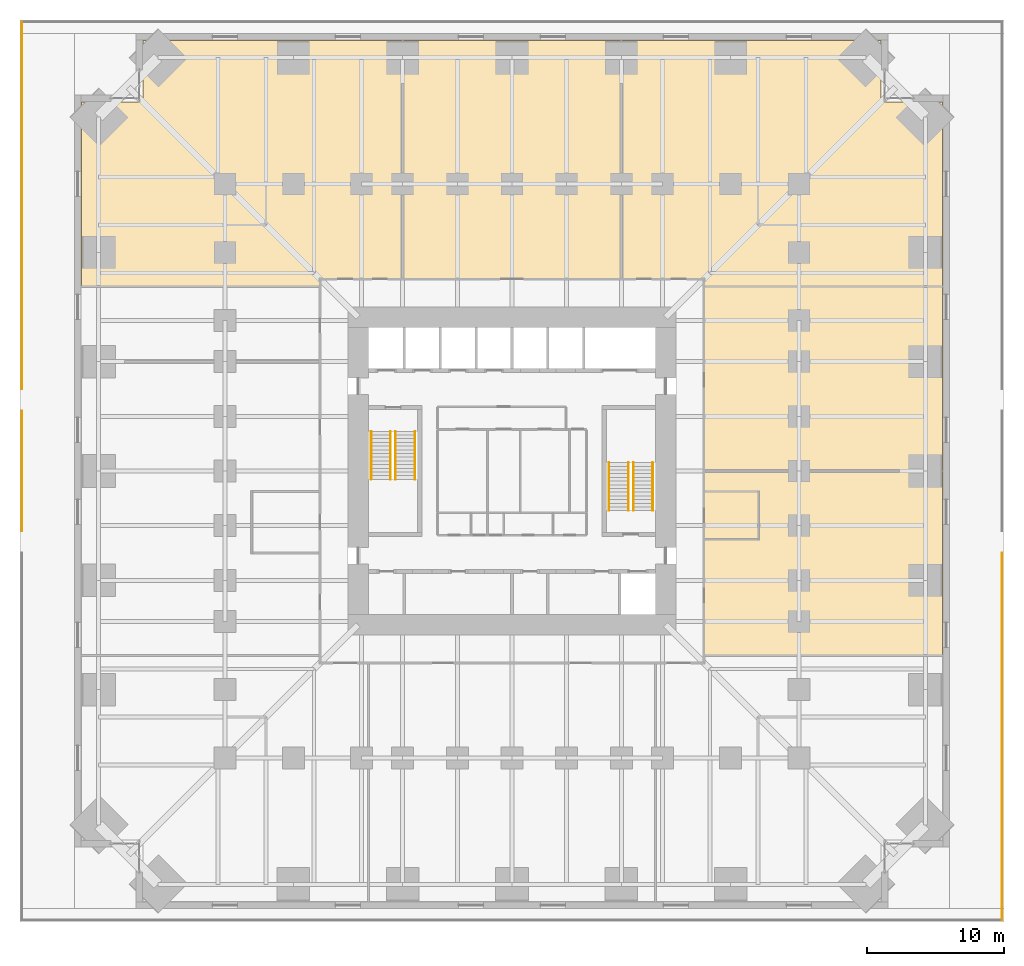
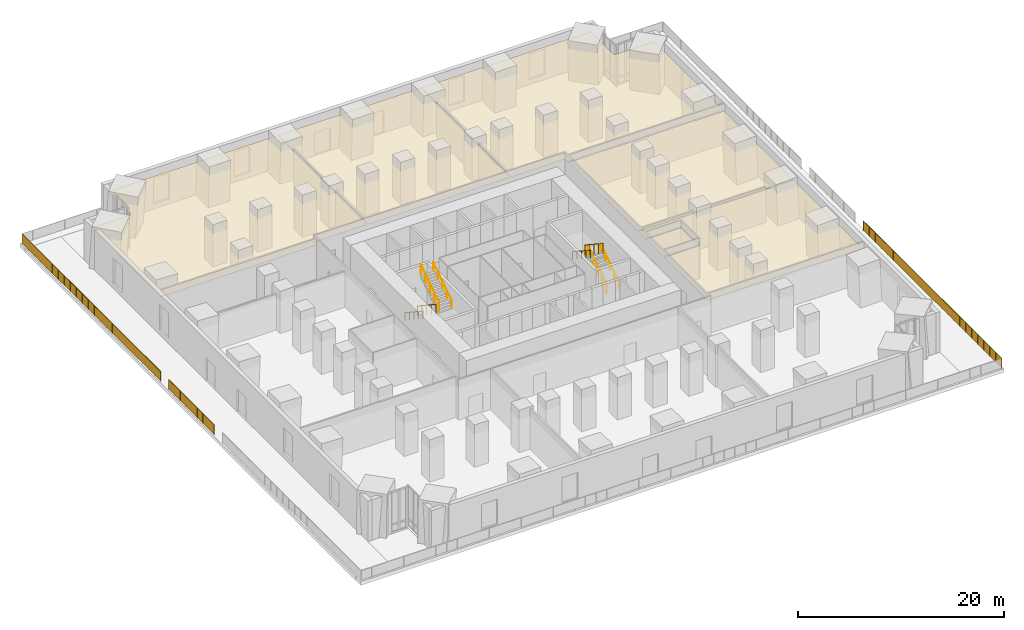
# One storey, part 25 of 26: 11 railings, 6 coverings.
"""IFC4 building model written with IfcOpenShell, lengths in metres."""

from ifc_helpers import new_model, si_unit, direction, frame, origin, origin_2d, place, context, subcontext, project, spatial, polyline, rectangle, circle, outline, extrude, material, layer, layer_set, type_object, element, save


model = new_model("IFC4")

# Units and contexts
model_context = context("Model", 3, precision=1e-05, world=origin(), true_north=direction((0.0, 1.0)))
body_context = subcontext(model_context, "Body", "Model", "MODEL_VIEW")
ifc_project = project(units=[si_unit("LENGTHUNIT", "METRE"), si_unit("AREAUNIT", "SQUARE_METRE"), si_unit("VOLUMEUNIT", "CUBIC_METRE"), si_unit("PLANEANGLEUNIT", "RADIAN"), si_unit("MASSUNIT", "GRAM", prefix="KILO")], contexts=[model_context])

# Site, building, storey
site_placement = place(None, origin())
site = spatial("IfcSite", under=ifc_project, at=site_placement, CompositionType="ELEMENT")
building_placement = place(site_placement, origin())
building = spatial("IfcBuilding", under=site, at=building_placement, Name="Peilmerk Tower", CompositionType="ELEMENT")
storey_placement = place(building_placement, frame((0.0, 0.0, 16.0)))
storey = spatial("IfcBuildingStorey", under=building, at=storey_placement, Name="L03", CompositionType="ELEMENT", Elevation=16.0)

# Coverings
ifc_material_1 = material(Name="Mineral fibre ceiling tiles", Category="mineral")
ifc_layer = layer(ifc_material_1, 0.02490234375)
ifc_layer_set = layer_set([ifc_layer], Name="Mineral fibre ceiling tiles")
covering_type = type_object("IfcCoveringType", Name="CL1 25 suspended ceiling", PredefinedType="CEILING", material=ifc_layer_set)
covering_1_placement = place(storey_placement, frame((0.0, 0.0, 3.875)))
element("IfcCovering", 1, at=covering_1_placement, inside=storey, type_object=covering_type, Name="Suspended ceiling Office", PredefinedType="CEILING", context=body_context, shape_type="SweptSolid", body=[
    extrude(outline(polyline([(-31.5, 27.0), (-31.5, 13.550048828125), (-14.10009765625, 13.550048828125), (-14.10009765625, 14.10009765625), (-8.050048828125, 14.10009765625), (-8.050048828125, 31.5), (-27.0, 31.5), (-27.0, 27.0), (-31.5, 27.0)])), origin(), (0.0, 0.0, 1.0), 0.02490234375),
])
covering_2_placement = place(storey_placement, frame((0.0, 0.0, 3.875)))
element("IfcCovering", 2, at=covering_2_placement, inside=storey, type_object=covering_type, Name="Suspended ceiling Open workspace", PredefinedType="CEILING", context=body_context, shape_type="SweptSolid", body=[
    extrude(outline(polyline([(7.949951171875, 31.5), (-7.949951171875, 31.5), (-7.949951171875, 14.10009765625), (7.949951171875, 14.10009765625), (7.949951171875, 31.5)])), origin(), (0.0, 0.0, 1.0), 0.02490234375),
])
covering_3_placement = place(storey_placement, frame((0.0, 0.0, 3.875)))
element("IfcCovering", 3, at=covering_3_placement, inside=storey, type_object=covering_type, Name="Suspended ceiling Office", PredefinedType="CEILING", context=body_context, shape_type="SweptSolid", body=[
    extrude(outline(polyline([(27.0, 31.5), (8.050048828125, 31.5), (8.050048828125, 14.10009765625), (14.10009765625, 14.10009765625), (14.10009765625, 13.550048828125), (31.5, 13.550048828125), (31.5, 27.0), (27.0, 27.0), (27.0, 31.5)])), origin(), (0.0, 0.0, 1.0), 0.02490234375),
])
covering_4_placement = place(storey_placement, frame((0.0, 0.0, 3.875)))
element("IfcCovering", 4, at=covering_4_placement, inside=storey, type_object=covering_type, Name="Suspended ceiling Office", PredefinedType="CEILING", context=body_context, shape_type="SweptSolid", body=[
    extrude(outline(polyline([(14.10009765625, -13.449951171875), (31.5, -13.449951171875), (31.5, -0.050048828125), (14.10009765625, -0.050048828125), (14.10009765625, -1.449951171875), (18.10009765625, -1.449951171875), (18.10009765625, -5.050048828125), (14.10009765625, -5.050048828125), (14.10009765625, -13.449951171875)])), origin(), (0.0, 0.0, 1.0), 0.02490234375),
])
covering_5_placement = place(storey_placement, frame((0.0, 0.0, 3.875)))
element("IfcCovering", 5, at=covering_5_placement, inside=storey, type_object=covering_type, Name="Suspended ceiling Office", PredefinedType="CEILING", context=body_context, shape_type="SweptSolid", body=[
    extrude(outline(polyline([(31.5, 0.050048828125), (31.5, 13.449951171875), (14.10009765625, 13.449951171875), (14.10009765625, 0.050048828125), (31.5, 0.050048828125)])), origin(), (0.0, 0.0, 1.0), 0.02490234375),
])
covering_6_placement = place(storey_placement, frame((0.0, 0.0, 3.875)))
element("IfcCovering", 6, at=covering_6_placement, inside=storey, type_object=covering_type, Name="Suspended ceiling Pantry", PredefinedType="CEILING", context=body_context, shape_type="SweptSolid", body=[
    extrude(outline(polyline([(18.0, -4.949951171875), (18.0, -1.550048828125), (14.10009765625, -1.550048828125), (14.10009765625, -4.949951171875), (18.0, -4.949951171875)])), origin(), (0.0, 0.0, 1.0), 0.02490234375),
])

# Railings
ifc_material_2 = material(Name="Steel flat bar balustrade", Category="steel")
railing_type_1 = type_object("IfcRailingType", Name="GR1 1200 stair guard", PredefinedType="GUARDRAIL", material=ifc_material_2)
railing_1_placement = place(storey_placement, frame((-8.8798828125, 2.89990234375, 0.178466796875)))
element("IfcRailing", 7, at=railing_1_placement, inside=storey, type_object=railing_type_1, Name="Guard stair 1 L03", PredefinedType="GUARDRAIL", context=body_context, shape_type="SweptSolid", body=[
    extrude(circle(Radius=0.02392578125, at=origin_2d()), frame((0.0, 0.0, 1.17578125), z_axis=(0.0, -0.834070780157, 0.551657442339), x_axis=(1.0, 0.0, 0.0)), (0.0, 0.0, 1.0), 4.208251953125),
    extrude(circle(Radius=0.02099609375, at=origin_2d()), origin(), (0.0, 0.0, 1.0), 1.15185546875),
    extrude(circle(Radius=0.02099609375, at=origin_2d()), frame((0.0, -0.87744140625, 0.580322265625)), (0.0, 0.0, 1.0), 1.15185546875),
    extrude(circle(Radius=0.02099609375, at=origin_2d()), frame((0.0, -1.7548828125, 1.16064453125)), (0.0, 0.0, 1.0), 1.15185546875),
    extrude(circle(Radius=0.02099609375, at=origin_2d()), frame((0.0, -2.632568359375, 1.7412109375)), (0.0, 0.0, 1.0), 1.15185546875),
    extrude(circle(Radius=0.02099609375, at=origin_2d()), frame((0.0, -3.510009765625, 2.321533203125)), (0.0, 0.0, 1.0), 1.15185546875),
])
for number, where, name in (
    (8, (-8.52001953125, -0.610107421875, 2.678466796875), "Guard stair 1 L03"),
    (9, (8.8798828125, -2.89990234375, 0.178466796875), "Guard stair 2 L03"),
):
    element("IfcRailing", number, at=place(storey_placement, frame(where)), inside=storey, type_object=railing_type_1, Name=name, PredefinedType="GUARDRAIL", context=body_context, shape_type="SweptSolid", body=[
        extrude(circle(Radius=0.02392578125, at=origin_2d()), frame((0.0, 0.0, 1.17578125), z_axis=(0.0, 0.834070780157, 0.551657442339), x_axis=(-1.0, 0.0, 0.0)), (0.0, 0.0, 1.0), 4.208251953125),
        extrude(circle(Radius=0.02099609375, at=origin_2d()), origin(), (0.0, 0.0, 1.0), 1.15185546875),
        extrude(circle(Radius=0.02099609375, at=origin_2d()), frame((0.0, 0.87744140625, 0.580322265625)), (0.0, 0.0, 1.0), 1.15185546875),
        extrude(circle(Radius=0.02099609375, at=origin_2d()), frame((0.0, 1.7548828125, 1.16064453125)), (0.0, 0.0, 1.0), 1.15185546875),
        extrude(circle(Radius=0.02099609375, at=origin_2d()), frame((0.0, 2.632568359375, 1.7412109375)), (0.0, 0.0, 1.0), 1.15185546875),
        extrude(circle(Radius=0.02099609375, at=origin_2d()), frame((0.0, 3.510009765625, 2.321533203125)), (0.0, 0.0, 1.0), 1.15185546875),
    ])
railing_2_placement = place(storey_placement, frame((8.52001953125, 0.610107421875, 2.678466796875)))
element("IfcRailing", 10, at=railing_2_placement, inside=storey, type_object=railing_type_1, Name="Guard stair 2 L03", PredefinedType="GUARDRAIL", context=body_context, shape_type="SweptSolid", body=[
    extrude(circle(Radius=0.02392578125, at=origin_2d()), frame((0.0, 0.0, 1.17578125), z_axis=(0.0, -0.834070780157, 0.551657442339), x_axis=(1.0, 0.0, 0.0)), (0.0, 0.0, 1.0), 4.208251953125),
    extrude(circle(Radius=0.02099609375, at=origin_2d()), origin(), (0.0, 0.0, 1.0), 1.15185546875),
    extrude(circle(Radius=0.02099609375, at=origin_2d()), frame((0.0, -0.87744140625, 0.580322265625)), (0.0, 0.0, 1.0), 1.15185546875),
    extrude(circle(Radius=0.02099609375, at=origin_2d()), frame((0.0, -1.7548828125, 1.16064453125)), (0.0, 0.0, 1.0), 1.15185546875),
    extrude(circle(Radius=0.02099609375, at=origin_2d()), frame((0.0, -2.632568359375, 1.7412109375)), (0.0, 0.0, 1.0), 1.15185546875),
    extrude(circle(Radius=0.02099609375, at=origin_2d()), frame((0.0, -3.510009765625, 2.321533203125)), (0.0, 0.0, 1.0), 1.15185546875),
])
ifc_material_3 = material(Name="Galvanised steel posts and top rail, laminated glass infill 16", Category="steel")
railing_type_2 = type_object("IfcRailingType", Name="GR2 1200 terrace balustrade", PredefinedType="BALUSTRADE", material=ifc_material_3)
railing_3_placement = place(storey_placement, frame((35.85009765625, -32.85009765625, 0.0)))
element("IfcRailing", 11, at=railing_3_placement, inside=storey, type_object=railing_type_2, Name="Terrace balustrade L03", PredefinedType="BALUSTRADE", context=body_context, shape_type="SweptSolid", body=[
    extrude(circle(Radius=0.02392578125, at=origin_2d()), frame((0.0, 0.0, 1.17578125), z_axis=(0.0, 1.0, 0.0), x_axis=(-1.0, 0.0, 0.0)), (0.0, 0.0, 1.0), 26.85009765625),
    extrude(circle(Radius=0.02099609375, at=origin_2d()), origin(), (0.0, 0.0, 1.0), 1.15185546875),
    extrude(circle(Radius=0.02099609375, at=origin_2d()), frame((0.0, 1.16748046875, 0.0)), (0.0, 0.0, 1.0), 1.15185546875),
    extrude(circle(Radius=0.02099609375, at=origin_2d()), frame((0.0, 2.334716796875, 0.0)), (0.0, 0.0, 1.0), 1.15185546875),
    extrude(circle(Radius=0.02099609375, at=origin_2d()), frame((0.0, 3.502197265625, 0.0)), (0.0, 0.0, 1.0), 1.15185546875),
    extrude(circle(Radius=0.02099609375, at=origin_2d()), frame((0.0, 4.669677734375, 0.0)), (0.0, 0.0, 1.0), 1.15185546875),
    extrude(circle(Radius=0.02099609375, at=origin_2d()), frame((0.0, 5.8369140625, 0.0)), (0.0, 0.0, 1.0), 1.15185546875),
    extrude(circle(Radius=0.02099609375, at=origin_2d()), frame((0.0, 7.00439453125, 0.0)), (0.0, 0.0, 1.0), 1.15185546875),
    extrude(circle(Radius=0.02099609375, at=origin_2d()), frame((0.0, 8.171875, 0.0)), (0.0, 0.0, 1.0), 1.15185546875),
    extrude(circle(Radius=0.02099609375, at=origin_2d()), frame((0.0, 9.339111328125, 0.0)), (0.0, 0.0, 1.0), 1.15185546875),
    extrude(circle(Radius=0.02099609375, at=origin_2d()), frame((0.0, 10.506591796875, 0.0)), (0.0, 0.0, 1.0), 1.15185546875),
    extrude(circle(Radius=0.02099609375, at=origin_2d()), frame((0.0, 11.674072265625, 0.0)), (0.0, 0.0, 1.0), 1.15185546875),
    extrude(circle(Radius=0.02099609375, at=origin_2d()), frame((0.0, 12.84130859375, 0.0)), (0.0, 0.0, 1.0), 1.15185546875),
    extrude(circle(Radius=0.02099609375, at=origin_2d()), frame((0.0, 14.0087890625, 0.0)), (0.0, 0.0, 1.0), 1.15185546875),
    extrude(circle(Radius=0.02099609375, at=origin_2d()), frame((0.0, 15.176025390625, 0.0)), (0.0, 0.0, 1.0), 1.15185546875),
    extrude(circle(Radius=0.02099609375, at=origin_2d()), frame((0.0, 16.343505859375, 0.0)), (0.0, 0.0, 1.0), 1.15185546875),
    extrude(circle(Radius=0.02099609375, at=origin_2d()), frame((0.0, 17.510986328125, 0.0)), (0.0, 0.0, 1.0), 1.15185546875),
    extrude(circle(Radius=0.02099609375, at=origin_2d()), frame((0.0, 18.67822265625, 0.0)), (0.0, 0.0, 1.0), 1.15185546875),
    extrude(circle(Radius=0.02099609375, at=origin_2d()), frame((0.0, 19.845703125, 0.0)), (0.0, 0.0, 1.0), 1.15185546875),
    extrude(circle(Radius=0.02099609375, at=origin_2d()), frame((0.0, 21.01318359375, 0.0)), (0.0, 0.0, 1.0), 1.15185546875),
    extrude(circle(Radius=0.02099609375, at=origin_2d()), frame((0.0, 22.180419921875, 0.0)), (0.0, 0.0, 1.0), 1.15185546875),
    extrude(circle(Radius=0.02099609375, at=origin_2d()), frame((0.0, 23.347900390625, 0.0)), (0.0, 0.0, 1.0), 1.15185546875),
    extrude(circle(Radius=0.02099609375, at=origin_2d()), frame((0.0, 24.515380859375, 0.0)), (0.0, 0.0, 1.0), 1.15185546875),
    extrude(circle(Radius=0.02099609375, at=origin_2d()), frame((0.0, 25.6826171875, 0.0)), (0.0, 0.0, 1.0), 1.15185546875),
    extrude(circle(Radius=0.02099609375, at=origin_2d()), frame((0.0, 26.85009765625, 0.0)), (0.0, 0.0, 1.0), 1.15185546875),
    extrude(rectangle(XDim=1.12548828125, YDim=0.01611328125, at=origin_2d()), frame((0.0, 0.583740234375, 0.050048828125), z_axis=(0.0, 0.0, 1.0), x_axis=(0.0, 1.0, 0.0)), (0.0, 0.0, 1.0), 1.101806640625),
    extrude(rectangle(XDim=1.12548828125, YDim=0.01611328125, at=origin_2d()), frame((0.0, 1.7509765625, 0.050048828125), z_axis=(0.0, 0.0, 1.0), x_axis=(0.0, 1.0, 0.0)), (0.0, 0.0, 1.0), 1.101806640625),
    extrude(rectangle(XDim=1.12548828125, YDim=0.01611328125, at=origin_2d()), frame((0.0, 2.91845703125, 0.050048828125), z_axis=(0.0, 0.0, 1.0), x_axis=(0.0, 1.0, 0.0)), (0.0, 0.0, 1.0), 1.101806640625),
    extrude(rectangle(XDim=1.12548828125, YDim=0.01611328125, at=origin_2d()), frame((0.0, 4.0859375, 0.050048828125), z_axis=(0.0, 0.0, 1.0), x_axis=(0.0, 1.0, 0.0)), (0.0, 0.0, 1.0), 1.101806640625),
    extrude(rectangle(XDim=1.12548828125, YDim=0.01611328125, at=origin_2d()), frame((0.0, 5.253173828125, 0.050048828125), z_axis=(0.0, 0.0, 1.0), x_axis=(0.0, 1.0, 0.0)), (0.0, 0.0, 1.0), 1.101806640625),
    extrude(rectangle(XDim=1.12548828125, YDim=0.01611328125, at=origin_2d()), frame((0.0, 6.420654296875, 0.050048828125), z_axis=(0.0, 0.0, 1.0), x_axis=(0.0, 1.0, 0.0)), (0.0, 0.0, 1.0), 1.101806640625),
    extrude(rectangle(XDim=1.12548828125, YDim=0.01611328125, at=origin_2d()), frame((0.0, 7.588134765625, 0.050048828125), z_axis=(0.0, 0.0, 1.0), x_axis=(0.0, 1.0, 0.0)), (0.0, 0.0, 1.0), 1.101806640625),
    extrude(rectangle(XDim=1.12548828125, YDim=0.01611328125, at=origin_2d()), frame((0.0, 8.75537109375, 0.050048828125), z_axis=(0.0, 0.0, 1.0), x_axis=(0.0, 1.0, 0.0)), (0.0, 0.0, 1.0), 1.101806640625),
    extrude(rectangle(XDim=1.12548828125, YDim=0.01611328125, at=origin_2d()), frame((0.0, 9.9228515625, 0.050048828125), z_axis=(0.0, 0.0, 1.0), x_axis=(0.0, 1.0, 0.0)), (0.0, 0.0, 1.0), 1.101806640625),
    extrude(rectangle(XDim=1.12548828125, YDim=0.01611328125, at=origin_2d()), frame((0.0, 11.09033203125, 0.050048828125), z_axis=(0.0, 0.0, 1.0), x_axis=(0.0, 1.0, 0.0)), (0.0, 0.0, 1.0), 1.101806640625),
    extrude(rectangle(XDim=1.12548828125, YDim=0.01611328125, at=origin_2d()), frame((0.0, 12.257568359375, 0.050048828125), z_axis=(0.0, 0.0, 1.0), x_axis=(0.0, 1.0, 0.0)), (0.0, 0.0, 1.0), 1.101806640625),
    extrude(rectangle(XDim=1.12548828125, YDim=0.01611328125, at=origin_2d()), frame((0.0, 13.425048828125, 0.050048828125), z_axis=(0.0, 0.0, 1.0), x_axis=(0.0, 1.0, 0.0)), (0.0, 0.0, 1.0), 1.101806640625),
    extrude(rectangle(XDim=1.12548828125, YDim=0.01611328125, at=origin_2d()), frame((0.0, 14.592529296875, 0.050048828125), z_axis=(0.0, 0.0, 1.0), x_axis=(0.0, 1.0, 0.0)), (0.0, 0.0, 1.0), 1.101806640625),
    extrude(rectangle(XDim=1.12548828125, YDim=0.01611328125, at=origin_2d()), frame((0.0, 15.759765625, 0.050048828125), z_axis=(0.0, 0.0, 1.0), x_axis=(0.0, 1.0, 0.0)), (0.0, 0.0, 1.0), 1.101806640625),
    extrude(rectangle(XDim=1.12548828125, YDim=0.01611328125, at=origin_2d()), frame((0.0, 16.92724609375, 0.050048828125), z_axis=(0.0, 0.0, 1.0), x_axis=(0.0, 1.0, 0.0)), (0.0, 0.0, 1.0), 1.101806640625),
    extrude(rectangle(XDim=1.12548828125, YDim=0.01611328125, at=origin_2d()), frame((0.0, 18.0947265625, 0.050048828125), z_axis=(0.0, 0.0, 1.0), x_axis=(0.0, 1.0, 0.0)), (0.0, 0.0, 1.0), 1.101806640625),
    extrude(rectangle(XDim=1.12548828125, YDim=0.01611328125, at=origin_2d()), frame((0.0, 19.261962890625, 0.050048828125), z_axis=(0.0, 0.0, 1.0), x_axis=(0.0, 1.0, 0.0)), (0.0, 0.0, 1.0), 1.101806640625),
    extrude(rectangle(XDim=1.12548828125, YDim=0.01611328125, at=origin_2d()), frame((0.0, 20.429443359375, 0.050048828125), z_axis=(0.0, 0.0, 1.0), x_axis=(0.0, 1.0, 0.0)), (0.0, 0.0, 1.0), 1.101806640625),
    extrude(rectangle(XDim=1.12548828125, YDim=0.01611328125, at=origin_2d()), frame((0.0, 21.596923828125, 0.050048828125), z_axis=(0.0, 0.0, 1.0), x_axis=(0.0, 1.0, 0.0)), (0.0, 0.0, 1.0), 1.101806640625),
    extrude(rectangle(XDim=1.12548828125, YDim=0.01611328125, at=origin_2d()), frame((0.0, 22.76416015625, 0.050048828125), z_axis=(0.0, 0.0, 1.0), x_axis=(0.0, 1.0, 0.0)), (0.0, 0.0, 1.0), 1.101806640625),
    extrude(rectangle(XDim=1.12548828125, YDim=0.01611328125, at=origin_2d()), frame((0.0, 23.931640625, 0.050048828125), z_axis=(0.0, 0.0, 1.0), x_axis=(0.0, 1.0, 0.0)), (0.0, 0.0, 1.0), 1.101806640625),
    extrude(rectangle(XDim=1.12548828125, YDim=0.01611328125, at=origin_2d()), frame((0.0, 25.09912109375, 0.050048828125), z_axis=(0.0, 0.0, 1.0), x_axis=(0.0, 1.0, 0.0)), (0.0, 0.0, 1.0), 1.101806640625),
    extrude(rectangle(XDim=1.12548828125, YDim=0.01611328125, at=origin_2d()), frame((0.0, 26.266357421875, 0.050048828125), z_axis=(0.0, 0.0, 1.0), x_axis=(0.0, 1.0, 0.0)), (0.0, 0.0, 1.0), 1.101806640625),
])
railing_4_placement = place(storey_placement, frame((-35.85009765625, -4.39990234375, 0.0)))
element("IfcRailing", 12, at=railing_4_placement, inside=storey, type_object=railing_type_2, Name="Terrace balustrade L03", PredefinedType="BALUSTRADE", context=body_context, shape_type="SweptSolid", body=[
    extrude(circle(Radius=0.02392578125, at=origin_2d()), frame((0.0, 0.0, 1.17578125), z_axis=(0.0, 1.0, 0.0), x_axis=(-1.0, 0.0, 0.0)), (0.0, 0.0, 1.0), 8.7998046875),
    extrude(circle(Radius=0.02099609375, at=origin_2d()), origin(), (0.0, 0.0, 1.0), 1.15185546875),
    extrude(circle(Radius=0.02099609375, at=origin_2d()), frame((0.0, 1.10009765625, 0.0)), (0.0, 0.0, 1.0), 1.15185546875),
    extrude(circle(Radius=0.02099609375, at=origin_2d()), frame((0.0, 2.199951171875, 0.0)), (0.0, 0.0, 1.0), 1.15185546875),
    extrude(circle(Radius=0.02099609375, at=origin_2d()), frame((0.0, 3.2998046875, 0.0)), (0.0, 0.0, 1.0), 1.15185546875),
    extrude(circle(Radius=0.02099609375, at=origin_2d()), frame((0.0, 4.39990234375, 0.0)), (0.0, 0.0, 1.0), 1.15185546875),
    extrude(circle(Radius=0.02099609375, at=origin_2d()), frame((0.0, 5.5, 0.0)), (0.0, 0.0, 1.0), 1.15185546875),
    extrude(circle(Radius=0.02099609375, at=origin_2d()), frame((0.0, 6.599853515625, 0.0)), (0.0, 0.0, 1.0), 1.15185546875),
    extrude(circle(Radius=0.02099609375, at=origin_2d()), frame((0.0, 7.69970703125, 0.0)), (0.0, 0.0, 1.0), 1.15185546875),
    extrude(circle(Radius=0.02099609375, at=origin_2d()), frame((0.0, 8.7998046875, 0.0)), (0.0, 0.0, 1.0), 1.15185546875),
    extrude(rectangle(XDim=1.05810546875, YDim=0.01611328125, at=origin_2d()), frame((0.0, 0.550048828125, 0.050048828125), z_axis=(0.0, 0.0, 1.0), x_axis=(0.0, 1.0, 0.0)), (0.0, 0.0, 1.0), 1.101806640625),
    extrude(rectangle(XDim=1.05810546875, YDim=0.01611328125, at=origin_2d()), frame((0.0, 1.64990234375, 0.050048828125), z_axis=(0.0, 0.0, 1.0), x_axis=(0.0, 1.0, 0.0)), (0.0, 0.0, 1.0), 1.101806640625),
    extrude(rectangle(XDim=1.05810546875, YDim=0.01611328125, at=origin_2d()), frame((0.0, 2.75, 0.050048828125), z_axis=(0.0, 0.0, 1.0), x_axis=(0.0, 1.0, 0.0)), (0.0, 0.0, 1.0), 1.101806640625),
    extrude(rectangle(XDim=1.05810546875, YDim=0.01611328125, at=origin_2d()), frame((0.0, 3.849853515625, 0.050048828125), z_axis=(0.0, 0.0, 1.0), x_axis=(0.0, 1.0, 0.0)), (0.0, 0.0, 1.0), 1.101806640625),
    extrude(rectangle(XDim=1.05810546875, YDim=0.01611328125, at=origin_2d()), frame((0.0, 4.949951171875, 0.050048828125), z_axis=(0.0, 0.0, 1.0), x_axis=(0.0, 1.0, 0.0)), (0.0, 0.0, 1.0), 1.101806640625),
    extrude(rectangle(XDim=1.05810546875, YDim=0.01611328125, at=origin_2d()), frame((0.0, 6.0498046875, 0.050048828125), z_axis=(0.0, 0.0, 1.0), x_axis=(0.0, 1.0, 0.0)), (0.0, 0.0, 1.0), 1.101806640625),
    extrude(rectangle(XDim=1.05810546875, YDim=0.01611328125, at=origin_2d()), frame((0.0, 7.14990234375, 0.050048828125), z_axis=(0.0, 0.0, 1.0), x_axis=(0.0, 1.0, 0.0)), (0.0, 0.0, 1.0), 1.101806640625),
    extrude(rectangle(XDim=1.05810546875, YDim=0.01611328125, at=origin_2d()), frame((0.0, 8.249755859375, 0.050048828125), z_axis=(0.0, 0.0, 1.0), x_axis=(0.0, 1.0, 0.0)), (0.0, 0.0, 1.0), 1.101806640625),
])
railing_5_placement = place(storey_placement, frame((-35.85009765625, 6.0, 0.0)))
element("IfcRailing", 13, at=railing_5_placement, inside=storey, type_object=railing_type_2, Name="Terrace balustrade L03", PredefinedType="BALUSTRADE", context=body_context, shape_type="SweptSolid", body=[
    extrude(circle(Radius=0.02392578125, at=origin_2d()), frame((0.0, 0.0, 1.17578125), z_axis=(0.0, 1.0, 0.0), x_axis=(-1.0, 0.0, 0.0)), (0.0, 0.0, 1.0), 26.85009765625),
    extrude(circle(Radius=0.02099609375, at=origin_2d()), origin(), (0.0, 0.0, 1.0), 1.15185546875),
    extrude(circle(Radius=0.02099609375, at=origin_2d()), frame((0.0, 1.16748046875, 0.0)), (0.0, 0.0, 1.0), 1.15185546875),
    extrude(circle(Radius=0.02099609375, at=origin_2d()), frame((0.0, 2.334716796875, 0.0)), (0.0, 0.0, 1.0), 1.15185546875),
    extrude(circle(Radius=0.02099609375, at=origin_2d()), frame((0.0, 3.502197265625, 0.0)), (0.0, 0.0, 1.0), 1.15185546875),
    extrude(circle(Radius=0.02099609375, at=origin_2d()), frame((0.0, 4.669677734375, 0.0)), (0.0, 0.0, 1.0), 1.15185546875),
    extrude(circle(Radius=0.02099609375, at=origin_2d()), frame((0.0, 5.8369140625, 0.0)), (0.0, 0.0, 1.0), 1.15185546875),
    extrude(circle(Radius=0.02099609375, at=origin_2d()), frame((0.0, 7.00439453125, 0.0)), (0.0, 0.0, 1.0), 1.15185546875),
    extrude(circle(Radius=0.02099609375, at=origin_2d()), frame((0.0, 8.171875, 0.0)), (0.0, 0.0, 1.0), 1.15185546875),
    extrude(circle(Radius=0.02099609375, at=origin_2d()), frame((0.0, 9.339111328125, 0.0)), (0.0, 0.0, 1.0), 1.15185546875),
    extrude(circle(Radius=0.02099609375, at=origin_2d()), frame((0.0, 10.506591796875, 0.0)), (0.0, 0.0, 1.0), 1.15185546875),
    extrude(circle(Radius=0.02099609375, at=origin_2d()), frame((0.0, 11.674072265625, 0.0)), (0.0, 0.0, 1.0), 1.15185546875),
    extrude(circle(Radius=0.02099609375, at=origin_2d()), frame((0.0, 12.84130859375, 0.0)), (0.0, 0.0, 1.0), 1.15185546875),
    extrude(circle(Radius=0.02099609375, at=origin_2d()), frame((0.0, 14.0087890625, 0.0)), (0.0, 0.0, 1.0), 1.15185546875),
    extrude(circle(Radius=0.02099609375, at=origin_2d()), frame((0.0, 15.176025390625, 0.0)), (0.0, 0.0, 1.0), 1.15185546875),
    extrude(circle(Radius=0.02099609375, at=origin_2d()), frame((0.0, 16.343505859375, 0.0)), (0.0, 0.0, 1.0), 1.15185546875),
    extrude(circle(Radius=0.02099609375, at=origin_2d()), frame((0.0, 17.510986328125, 0.0)), (0.0, 0.0, 1.0), 1.15185546875),
    extrude(circle(Radius=0.02099609375, at=origin_2d()), frame((0.0, 18.67822265625, 0.0)), (0.0, 0.0, 1.0), 1.15185546875),
    extrude(circle(Radius=0.02099609375, at=origin_2d()), frame((0.0, 19.845703125, 0.0)), (0.0, 0.0, 1.0), 1.15185546875),
    extrude(circle(Radius=0.02099609375, at=origin_2d()), frame((0.0, 21.01318359375, 0.0)), (0.0, 0.0, 1.0), 1.15185546875),
    extrude(circle(Radius=0.02099609375, at=origin_2d()), frame((0.0, 22.180419921875, 0.0)), (0.0, 0.0, 1.0), 1.15185546875),
    extrude(circle(Radius=0.02099609375, at=origin_2d()), frame((0.0, 23.347900390625, 0.0)), (0.0, 0.0, 1.0), 1.15185546875),
    extrude(circle(Radius=0.02099609375, at=origin_2d()), frame((0.0, 24.515380859375, 0.0)), (0.0, 0.0, 1.0), 1.15185546875),
    extrude(circle(Radius=0.02099609375, at=origin_2d()), frame((0.0, 25.6826171875, 0.0)), (0.0, 0.0, 1.0), 1.15185546875),
    extrude(circle(Radius=0.02099609375, at=origin_2d()), frame((0.0, 26.85009765625, 0.0)), (0.0, 0.0, 1.0), 1.15185546875),
    extrude(rectangle(XDim=1.12548828125, YDim=0.01611328125, at=origin_2d()), frame((0.0, 0.583740234375, 0.050048828125), z_axis=(0.0, 0.0, 1.0), x_axis=(0.0, 1.0, 0.0)), (0.0, 0.0, 1.0), 1.101806640625),
    extrude(rectangle(XDim=1.12548828125, YDim=0.01611328125, at=origin_2d()), frame((0.0, 1.7509765625, 0.050048828125), z_axis=(0.0, 0.0, 1.0), x_axis=(0.0, 1.0, 0.0)), (0.0, 0.0, 1.0), 1.101806640625),
    extrude(rectangle(XDim=1.12548828125, YDim=0.01611328125, at=origin_2d()), frame((0.0, 2.91845703125, 0.050048828125), z_axis=(0.0, 0.0, 1.0), x_axis=(0.0, 1.0, 0.0)), (0.0, 0.0, 1.0), 1.101806640625),
    extrude(rectangle(XDim=1.12548828125, YDim=0.01611328125, at=origin_2d()), frame((0.0, 4.0859375, 0.050048828125), z_axis=(0.0, 0.0, 1.0), x_axis=(0.0, 1.0, 0.0)), (0.0, 0.0, 1.0), 1.101806640625),
    extrude(rectangle(XDim=1.12548828125, YDim=0.01611328125, at=origin_2d()), frame((0.0, 5.253173828125, 0.050048828125), z_axis=(0.0, 0.0, 1.0), x_axis=(0.0, 1.0, 0.0)), (0.0, 0.0, 1.0), 1.101806640625),
    extrude(rectangle(XDim=1.12548828125, YDim=0.01611328125, at=origin_2d()), frame((0.0, 6.420654296875, 0.050048828125), z_axis=(0.0, 0.0, 1.0), x_axis=(0.0, 1.0, 0.0)), (0.0, 0.0, 1.0), 1.101806640625),
    extrude(rectangle(XDim=1.12548828125, YDim=0.01611328125, at=origin_2d()), frame((0.0, 7.588134765625, 0.050048828125), z_axis=(0.0, 0.0, 1.0), x_axis=(0.0, 1.0, 0.0)), (0.0, 0.0, 1.0), 1.101806640625),
    extrude(rectangle(XDim=1.12548828125, YDim=0.01611328125, at=origin_2d()), frame((0.0, 8.75537109375, 0.050048828125), z_axis=(0.0, 0.0, 1.0), x_axis=(0.0, 1.0, 0.0)), (0.0, 0.0, 1.0), 1.101806640625),
    extrude(rectangle(XDim=1.12548828125, YDim=0.01611328125, at=origin_2d()), frame((0.0, 9.9228515625, 0.050048828125), z_axis=(0.0, 0.0, 1.0), x_axis=(0.0, 1.0, 0.0)), (0.0, 0.0, 1.0), 1.101806640625),
    extrude(rectangle(XDim=1.12548828125, YDim=0.01611328125, at=origin_2d()), frame((0.0, 11.09033203125, 0.050048828125), z_axis=(0.0, 0.0, 1.0), x_axis=(0.0, 1.0, 0.0)), (0.0, 0.0, 1.0), 1.101806640625),
    extrude(rectangle(XDim=1.12548828125, YDim=0.01611328125, at=origin_2d()), frame((0.0, 12.257568359375, 0.050048828125), z_axis=(0.0, 0.0, 1.0), x_axis=(0.0, 1.0, 0.0)), (0.0, 0.0, 1.0), 1.101806640625),
    extrude(rectangle(XDim=1.12548828125, YDim=0.01611328125, at=origin_2d()), frame((0.0, 13.425048828125, 0.050048828125), z_axis=(0.0, 0.0, 1.0), x_axis=(0.0, 1.0, 0.0)), (0.0, 0.0, 1.0), 1.101806640625),
    extrude(rectangle(XDim=1.12548828125, YDim=0.01611328125, at=origin_2d()), frame((0.0, 14.592529296875, 0.050048828125), z_axis=(0.0, 0.0, 1.0), x_axis=(0.0, 1.0, 0.0)), (0.0, 0.0, 1.0), 1.101806640625),
    extrude(rectangle(XDim=1.12548828125, YDim=0.01611328125, at=origin_2d()), frame((0.0, 15.759765625, 0.050048828125), z_axis=(0.0, 0.0, 1.0), x_axis=(0.0, 1.0, 0.0)), (0.0, 0.0, 1.0), 1.101806640625),
    extrude(rectangle(XDim=1.12548828125, YDim=0.01611328125, at=origin_2d()), frame((0.0, 16.92724609375, 0.050048828125), z_axis=(0.0, 0.0, 1.0), x_axis=(0.0, 1.0, 0.0)), (0.0, 0.0, 1.0), 1.101806640625),
    extrude(rectangle(XDim=1.12548828125, YDim=0.01611328125, at=origin_2d()), frame((0.0, 18.0947265625, 0.050048828125), z_axis=(0.0, 0.0, 1.0), x_axis=(0.0, 1.0, 0.0)), (0.0, 0.0, 1.0), 1.101806640625),
    extrude(rectangle(XDim=1.12548828125, YDim=0.01611328125, at=origin_2d()), frame((0.0, 19.261962890625, 0.050048828125), z_axis=(0.0, 0.0, 1.0), x_axis=(0.0, 1.0, 0.0)), (0.0, 0.0, 1.0), 1.101806640625),
    extrude(rectangle(XDim=1.12548828125, YDim=0.01611328125, at=origin_2d()), frame((0.0, 20.429443359375, 0.050048828125), z_axis=(0.0, 0.0, 1.0), x_axis=(0.0, 1.0, 0.0)), (0.0, 0.0, 1.0), 1.101806640625),
    extrude(rectangle(XDim=1.12548828125, YDim=0.01611328125, at=origin_2d()), frame((0.0, 21.596923828125, 0.050048828125), z_axis=(0.0, 0.0, 1.0), x_axis=(0.0, 1.0, 0.0)), (0.0, 0.0, 1.0), 1.101806640625),
    extrude(rectangle(XDim=1.12548828125, YDim=0.01611328125, at=origin_2d()), frame((0.0, 22.76416015625, 0.050048828125), z_axis=(0.0, 0.0, 1.0), x_axis=(0.0, 1.0, 0.0)), (0.0, 0.0, 1.0), 1.101806640625),
    extrude(rectangle(XDim=1.12548828125, YDim=0.01611328125, at=origin_2d()), frame((0.0, 23.931640625, 0.050048828125), z_axis=(0.0, 0.0, 1.0), x_axis=(0.0, 1.0, 0.0)), (0.0, 0.0, 1.0), 1.101806640625),
    extrude(rectangle(XDim=1.12548828125, YDim=0.01611328125, at=origin_2d()), frame((0.0, 25.09912109375, 0.050048828125), z_axis=(0.0, 0.0, 1.0), x_axis=(0.0, 1.0, 0.0)), (0.0, 0.0, 1.0), 1.101806640625),
    extrude(rectangle(XDim=1.12548828125, YDim=0.01611328125, at=origin_2d()), frame((0.0, 26.266357421875, 0.050048828125), z_axis=(0.0, 0.0, 1.0), x_axis=(0.0, 1.0, 0.0)), (0.0, 0.0, 1.0), 1.101806640625),
])
ifc_material_4 = material(Name="Stainless steel tube", Category="steel")
railing_type_3 = type_object("IfcRailingType", Name="HR1 900 stair handrail", PredefinedType="HANDRAIL", material=ifc_material_4)
railing_6_placement = place(storey_placement, frame((-10.300048828125, 2.89990234375, 0.178466796875)))
element("IfcRailing", 14, at=railing_6_placement, inside=storey, type_object=railing_type_3, Name="Handrail stair 1 L03", PredefinedType="HANDRAIL", context=body_context, shape_type="SweptSolid", body=[
    extrude(circle(Radius=0.02392578125, at=origin_2d()), frame((0.0, 0.0, 0.8759765625), z_axis=(0.0, -0.834070780157, 0.551657442339), x_axis=(1.0, 0.0, 0.0)), (0.0, 0.0, 1.0), 4.208251953125),
    extrude(circle(Radius=0.02099609375, at=origin_2d()), origin(), (0.0, 0.0, 1.0), 0.851806640625),
    extrude(circle(Radius=0.02099609375, at=origin_2d()), frame((0.0, -0.87744140625, 0.580322265625)), (0.0, 0.0, 1.0), 0.851806640625),
    extrude(circle(Radius=0.02099609375, at=origin_2d()), frame((0.0, -1.7548828125, 1.16064453125)), (0.0, 0.0, 1.0), 0.851806640625),
    extrude(circle(Radius=0.02099609375, at=origin_2d()), frame((0.0, -2.632568359375, 1.7412109375)), (0.0, 0.0, 1.0), 0.851806640625),
    extrude(circle(Radius=0.02099609375, at=origin_2d()), frame((0.0, -3.510009765625, 2.321533203125)), (0.0, 0.0, 1.0), 0.851806640625),
])
for number, where, name in (
    (15, (-7.10009765625, -0.610107421875, 2.678466796875), "Handrail stair 1 L03"),
    (16, (10.300048828125, -2.89990234375, 0.178466796875), "Handrail stair 2 L03"),
):
    element("IfcRailing", number, at=place(storey_placement, frame(where)), inside=storey, type_object=railing_type_3, Name=name, PredefinedType="HANDRAIL", context=body_context, shape_type="SweptSolid", body=[
        extrude(circle(Radius=0.02392578125, at=origin_2d()), frame((0.0, 0.0, 0.8759765625), z_axis=(0.0, 0.834070780157, 0.551657442339), x_axis=(-1.0, 0.0, 0.0)), (0.0, 0.0, 1.0), 4.208251953125),
        extrude(circle(Radius=0.02099609375, at=origin_2d()), origin(), (0.0, 0.0, 1.0), 0.851806640625),
        extrude(circle(Radius=0.02099609375, at=origin_2d()), frame((0.0, 0.87744140625, 0.580322265625)), (0.0, 0.0, 1.0), 0.851806640625),
        extrude(circle(Radius=0.02099609375, at=origin_2d()), frame((0.0, 1.7548828125, 1.16064453125)), (0.0, 0.0, 1.0), 0.851806640625),
        extrude(circle(Radius=0.02099609375, at=origin_2d()), frame((0.0, 2.632568359375, 1.7412109375)), (0.0, 0.0, 1.0), 0.851806640625),
        extrude(circle(Radius=0.02099609375, at=origin_2d()), frame((0.0, 3.510009765625, 2.321533203125)), (0.0, 0.0, 1.0), 0.851806640625),
    ])
railing_7_placement = place(storey_placement, frame((7.10009765625, 0.610107421875, 2.678466796875)))
element("IfcRailing", 17, at=railing_7_placement, inside=storey, type_object=railing_type_3, Name="Handrail stair 2 L03", PredefinedType="HANDRAIL", context=body_context, shape_type="SweptSolid", body=[
    extrude(circle(Radius=0.02392578125, at=origin_2d()), frame((0.0, 0.0, 0.8759765625), z_axis=(0.0, -0.834070780157, 0.551657442339), x_axis=(1.0, 0.0, 0.0)), (0.0, 0.0, 1.0), 4.208251953125),
    extrude(circle(Radius=0.02099609375, at=origin_2d()), origin(), (0.0, 0.0, 1.0), 0.851806640625),
    extrude(circle(Radius=0.02099609375, at=origin_2d()), frame((0.0, -0.87744140625, 0.580322265625)), (0.0, 0.0, 1.0), 0.851806640625),
    extrude(circle(Radius=0.02099609375, at=origin_2d()), frame((0.0, -1.7548828125, 1.16064453125)), (0.0, 0.0, 1.0), 0.851806640625),
    extrude(circle(Radius=0.02099609375, at=origin_2d()), frame((0.0, -2.632568359375, 1.7412109375)), (0.0, 0.0, 1.0), 0.851806640625),
    extrude(circle(Radius=0.02099609375, at=origin_2d()), frame((0.0, -3.510009765625, 2.321533203125)), (0.0, 0.0, 1.0), 0.851806640625),
])

save(model, "model.ifc")
